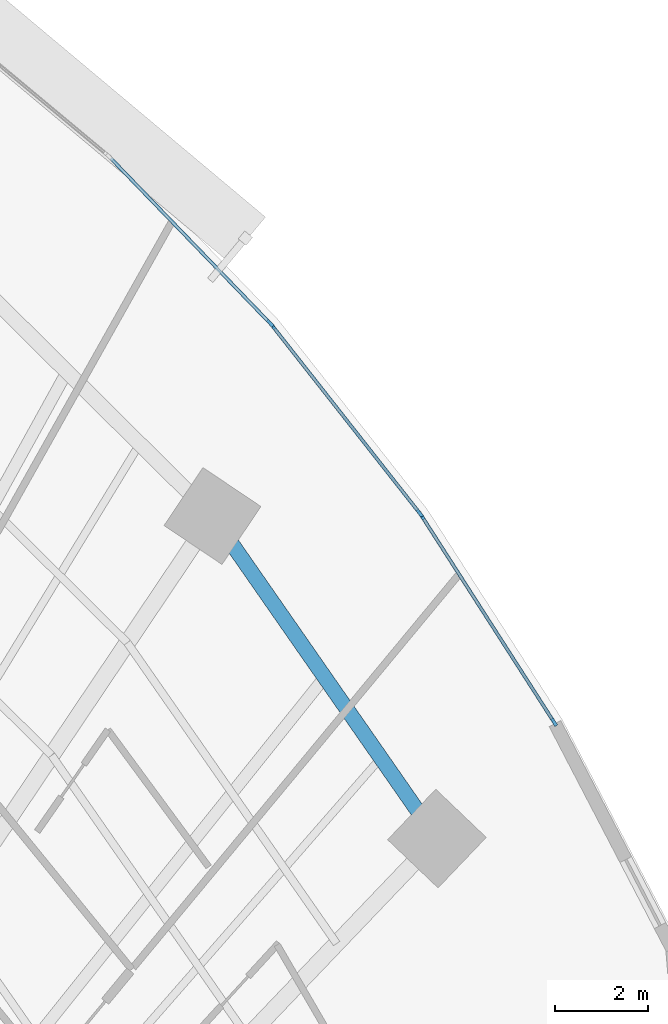
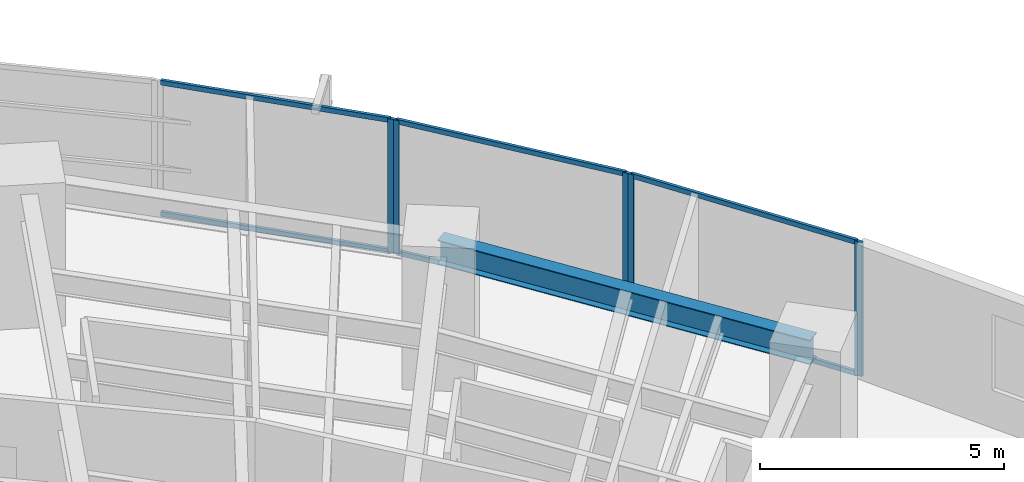
# One storey, part 8 of 17: 11 members, 1 beam, 3 elements without a shape of their own.
"""IFC4 building model written with IfcOpenShell, lengths in metres."""

from ifc_helpers import new_model, si_unit, direction, frame, origin, origin_2d, place, context, subcontext, project, spatial, rectangle, i_section, extrude, source, transform, mapped, material, layer, layer_set, material_profile, profile_set, type_object, type_shapes, element, aggregate, save


model = new_model("IFC4")

# Units and contexts
model_context = context("Model", 3, precision=1e-05, world=origin(), true_north=direction((0.0, 1.0)))
body_context = subcontext(model_context, "Body", "Model", "MODEL_VIEW")
ifc_project = project(units=[si_unit("LENGTHUNIT", "METRE"), si_unit("AREAUNIT", "SQUARE_METRE"), si_unit("VOLUMEUNIT", "CUBIC_METRE"), si_unit("PLANEANGLEUNIT", "RADIAN"), si_unit("MASSUNIT", "GRAM", prefix="KILO")], contexts=[model_context])

# Site, building, storey
site_placement = place(None, origin())
site = spatial("IfcSite", under=ifc_project, at=site_placement, CompositionType="ELEMENT")
building_placement = place(site_placement, origin())
building = spatial("IfcBuilding", under=site, at=building_placement, Name="Breltana Convention Tower", CompositionType="ELEMENT")
storey_placement = place(building_placement, frame((0.0, 0.0, 53.39990234375)))
storey = spatial("IfcBuildingStorey", under=building, at=storey_placement, Name="L11", CompositionType="ELEMENT", Elevation=53.39990234375)

# Beam
ifc_material_1 = material(Name="Steel ASTM A992 Grade 50", Category="steel")
ifc_material_profile_1 = material_profile(ifc_material_1, i_section(OverallWidth=0.323974609375, OverallDepth=0.611083984375, WebThickness=0.0126953125, FlangeThickness=0.01904296875, at=origin_2d()), Name="W24X104")
ifc_profile_set_1 = profile_set([ifc_material_profile_1], Name="Steel ASTM A992 Grade 50")
beam_type = type_object("IfcBeamType", Name="BM-SP-W24X104", PredefinedType="SPANDREL", material=ifc_profile_set_1)
shared_shape_1 = source(origin(), body_context, "Body", "SweptSolid", [
    extrude(i_section(OverallWidth=0.323974609375, OverallDepth=0.611083984375, WebThickness=0.0126953125, FlangeThickness=0.01904296875, at=origin_2d()), origin(), (0.0, 0.0, 1.0), 8.44970703125),
])
beam_placement = place(storey_placement, frame((75.166748046875, 62.43017578125, 3.0546875), z_axis=(0.5711855381, -0.820820979913, 0.0), x_axis=(0.820820979913, 0.5711855381, 0.0)))
element("IfcBeam", 1, at=beam_placement, inside=storey, type_object=beam_type, Name="L11 Outer Spandrel Beam 10", PredefinedType="SPANDREL", context=body_context, shape_type="MappedRepresentation", body=[
    mapped(shared_shape_1, transform((0.0, 0.0, 0.0), scale=1.0)),
])

# Curtain wall, member
ifc_material_2 = material(Name="Aluminium Anodised Bronze Frame", Category="aluminium")
ifc_layer = layer(ifc_material_2, 0.199951171875, Name="Aluminium Anodised Bronze Frame")
ifc_layer_set = layer_set([ifc_layer], Name="Aluminium Anodised Bronze Frame")
curtain_wall_type = type_object("IfcCurtainWallType", Name="CW-SYS-2", PredefinedType="NOTDEFINED", material=ifc_layer_set)
curtain_wall_1_placement = place(storey_placement, origin())
curtain_wall_1 = element("IfcCurtainWall", 2, at=curtain_wall_1_placement, inside=storey, type_object=curtain_wall_type, Name="L11 outer double-skin inner glazing 16", PredefinedType="NOTDEFINED")
ifc_material_3 = material(Name="Aluminium Anodised Bronze", Category="aluminium")
ifc_material_profile_2 = material_profile(ifc_material_3, rectangle(XDim=0.070068359375, YDim=0.175048828125, at=origin_2d()), Name="CWM-70X175")
ifc_profile_set_2 = profile_set([ifc_material_profile_2], Name="Aluminium Anodised Bronze")
member_type_1 = type_object("IfcMemberType", Name="CWM-175", PredefinedType="MULLION", material=ifc_profile_set_2)
shared_shape_2 = source(origin(), body_context, "Body", "SweptSolid", [
    extrude(rectangle(XDim=0.070068359375, YDim=0.175048828125, at=origin_2d()), origin(), (0.0, 0.0, 1.0), 3.360107421875),
])
type_shapes(member_type_1, [shared_shape_2])
member_1_placement = place(storey_placement, frame((76.408935546875, 66.571533203125, 0.0), z_axis=(0.0, 0.0, 1.0), x_axis=(0.719386421003, 0.694610090106, 0.0)))
member_1 = element("IfcMember", 3, at=member_1_placement, type_object=member_type_1, Name="CW-02 mullion 2", PredefinedType="MULLION", context=body_context, shape_type="MappedRepresentation", body=[
    mapped(shared_shape_2, transform((0.0, 0.0, 0.0), scale=1.0)),
])

# Curtain wall, members
curtain_wall_2_placement = place(storey_placement, origin())
curtain_wall_2 = element("IfcCurtainWall", 4, at=curtain_wall_2_placement, inside=storey, type_object=curtain_wall_type, Name="L11 outer double-skin inner glazing 17", PredefinedType="NOTDEFINED")
member_2_placement = place(storey_placement, frame((76.454833984375, 66.518798828125, 0.0), z_axis=(0.0, 0.0, 1.0), x_axis=(0.786057080698, 0.618153917633, 0.0)))
member_2 = element("IfcMember", 5, at=member_2_placement, type_object=member_type_1, Name="CW-02 mullion 1", PredefinedType="MULLION", context=body_context, shape_type="MappedRepresentation", body=[
    mapped(shared_shape_2, transform((0.0, 0.0, 0.0), scale=1.0)),
])
member_3_placement = place(storey_placement, frame((79.62255859375, 62.49072265625, 0.0), z_axis=(0.0, 0.0, 1.0), x_axis=(0.786057080698, 0.618153917633, 0.0)))
member_3 = element("IfcMember", 6, at=member_3_placement, type_object=member_type_1, Name="CW-02 mullion 2", PredefinedType="MULLION", context=body_context, shape_type="MappedRepresentation", body=[
    mapped(shared_shape_2, transform((0.0, 0.0, 0.0), scale=1.0)),
])

curtain_wall_3_placement = place(storey_placement, origin())
curtain_wall_3 = element("IfcCurtainWall", 7, at=curtain_wall_3_placement, inside=storey, type_object=curtain_wall_type, Name="L11 outer double-skin inner glazing 18", PredefinedType="NOTDEFINED")
member_4_placement = place(storey_placement, frame((79.6630859375, 62.43359375, 0.0), z_axis=(0.0, 0.0, 1.0), x_axis=(0.841549039154, 0.540180724109, 0.0)))
member_4 = element("IfcMember", 8, at=member_4_placement, type_object=member_type_1, Name="CW-02 mullion 1", PredefinedType="MULLION", context=body_context, shape_type="MappedRepresentation", body=[
    mapped(shared_shape_2, transform((0.0, 0.0, 0.0), scale=1.0)),
])
member_5_placement = place(storey_placement, frame((82.512939453125, 57.993896484375, 0.0), z_axis=(0.0, 0.0, 1.0), x_axis=(0.841549039154, 0.540180724109, 0.0)))
member_5 = element("IfcMember", 9, at=member_5_placement, type_object=member_type_1, Name="CW-02 mullion 2", PredefinedType="MULLION", context=body_context, shape_type="MappedRepresentation", body=[
    mapped(shared_shape_2, transform((0.0, 0.0, 0.0), scale=1.0)),
])

# Member
ifc_material_profile_3 = material_profile(ifc_material_3, rectangle(XDim=0.070068359375, YDim=0.1201171875, at=origin_2d()), Name="CWT-70X120")
ifc_profile_set_3 = profile_set([ifc_material_profile_3], Name="Aluminium Anodised Bronze")
member_type_2 = type_object("IfcMemberType", Name="CWT-120", PredefinedType="USERDEFINED", material=ifc_profile_set_3)
shared_shape_3 = source(origin(), body_context, "Body", "SweptSolid", [
    extrude(rectangle(XDim=0.070068359375, YDim=0.1201171875, at=origin_2d()), origin(), (0.0, 0.0, 1.0), 5.0546875),
])
member_6_placement = place(storey_placement, frame((76.4765625, 66.491455078125, 0.03515625), z_axis=(0.618135067667, -0.786071903913, 0.0), x_axis=(0.786071903913, 0.618135067667, 0.0)))
member_6 = element("IfcMember", 10, at=member_6_placement, type_object=member_type_2, Name="CW-02 transom 1.1", ObjectType="TRANSOM", PredefinedType="USERDEFINED", context=body_context, shape_type="MappedRepresentation", body=[
    mapped(shared_shape_3, transform((0.0, 0.0, 0.0), scale=1.0)),
])

member_7_placement = place(storey_placement, frame((76.4765625, 66.491455078125, 3.3251953125), z_axis=(0.618135067667, -0.786071903913, 0.0), x_axis=(0.786071903913, 0.618135067667, 0.0)))
member_7 = element("IfcMember", 11, at=member_7_placement, type_object=member_type_2, Name="CW-02 transom 1.2", ObjectType="TRANSOM", PredefinedType="USERDEFINED", context=body_context, shape_type="MappedRepresentation", body=[
    mapped(shared_shape_3, transform((0.0, 0.0, 0.0), scale=1.0)),
])

aggregate(curtain_wall_2, [member_2, member_3, member_6, member_7])

shared_shape_4 = source(origin(), body_context, "Body", "SweptSolid", [
    extrude(rectangle(XDim=0.070068359375, YDim=0.1201171875, at=origin_2d()), origin(), (0.0, 0.0, 1.0), 4.901123046875),
])
member_8_placement = place(storey_placement, frame((72.980224609375, 70.12255859375, 0.03515625), z_axis=(0.6945945137, -0.719401460617, 0.0), x_axis=(0.719401460617, 0.6945945137, 0.0)))
member_8 = element("IfcMember", 12, at=member_8_placement, type_object=member_type_2, Name="CW-02 transom 1.1", ObjectType="TRANSOM", PredefinedType="USERDEFINED", context=body_context, shape_type="MappedRepresentation", body=[
    mapped(shared_shape_4, transform((0.0, 0.0, 0.0), scale=1.0)),
])

member_9_placement = place(storey_placement, frame((72.980224609375, 70.12255859375, 3.3251953125), z_axis=(0.6945945137, -0.719401460617, 0.0), x_axis=(0.719401460617, 0.6945945137, 0.0)))
member_9 = element("IfcMember", 13, at=member_9_placement, type_object=member_type_2, Name="CW-02 transom 1.2", ObjectType="TRANSOM", PredefinedType="USERDEFINED", context=body_context, shape_type="MappedRepresentation", body=[
    mapped(shared_shape_4, transform((0.0, 0.0, 0.0), scale=1.0)),
])

aggregate(curtain_wall_1, [member_1, member_8, member_9])

shared_shape_5 = source(origin(), body_context, "Body", "SweptSolid", [
    extrude(rectangle(XDim=0.070068359375, YDim=0.1201171875, at=origin_2d()), origin(), (0.0, 0.0, 1.0), 5.205810546875),
])
member_10_placement = place(storey_placement, frame((79.68212890625, 62.404296875, 0.03515625), z_axis=(0.540179102764, -0.841550079875, 0.0), x_axis=(0.841550079875, 0.540179102764, 0.0)))
member_10 = element("IfcMember", 14, at=member_10_placement, type_object=member_type_2, Name="CW-02 transom 1.1", ObjectType="TRANSOM", PredefinedType="USERDEFINED", context=body_context, shape_type="MappedRepresentation", body=[
    mapped(shared_shape_5, transform((0.0, 0.0, 0.0), scale=1.0)),
])

member_11_placement = place(storey_placement, frame((79.68212890625, 62.404296875, 3.3251953125), z_axis=(0.540179102764, -0.841550079875, 0.0), x_axis=(0.841550079875, 0.540179102764, 0.0)))
member_11 = element("IfcMember", 15, at=member_11_placement, type_object=member_type_2, Name="CW-02 transom 1.2", ObjectType="TRANSOM", PredefinedType="USERDEFINED", context=body_context, shape_type="MappedRepresentation", body=[
    mapped(shared_shape_5, transform((0.0, 0.0, 0.0), scale=1.0)),
])

aggregate(curtain_wall_3, [member_4, member_5, member_10, member_11])

save(model, "model.ifc")
